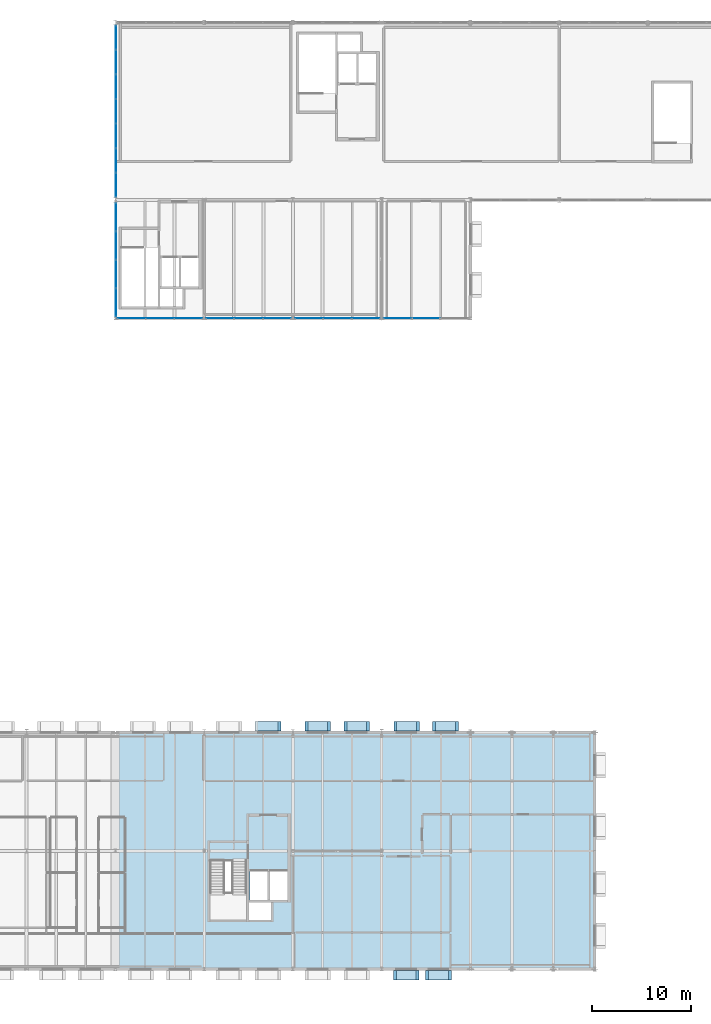
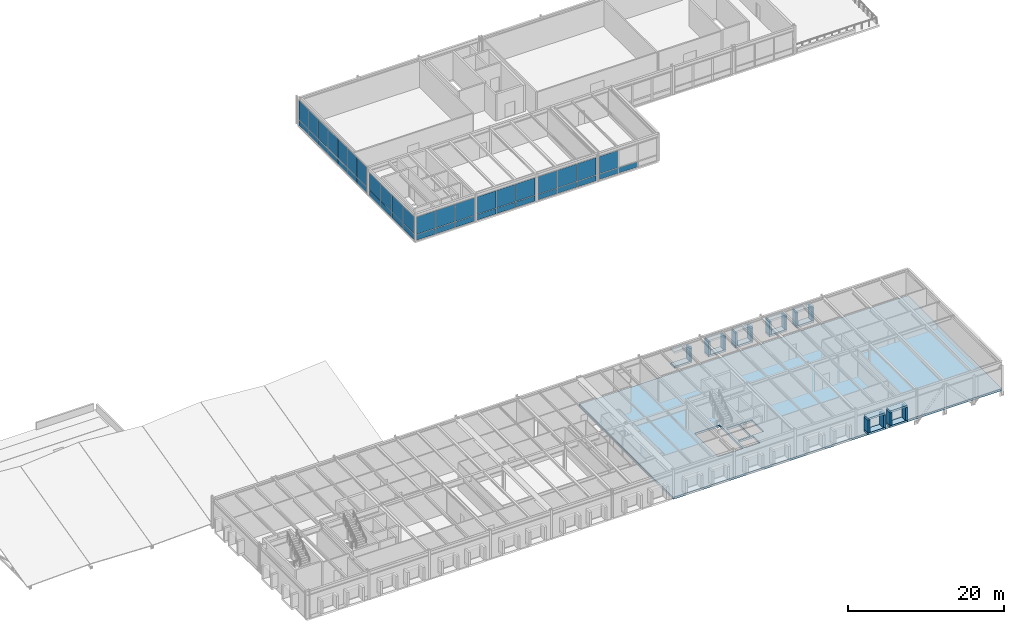
# One storey, part 43 of 67: 70 plates, 1 slab, 6 elements without a shape of their own.
"""IFC4 building model written with IfcOpenShell, lengths in metres."""

from ifc_helpers import new_model, si_unit, direction, frame, origin, origin_2d, place, context, subcontext, project, spatial, polyline, rectangle, outline, extrude, material, layer, layer_set, type_object, element, aggregate, save


model = new_model("IFC4")

# Units and contexts
model_context = context("Model", 3, precision=1e-05, world=origin(), true_north=direction((0.0, 1.0)))
body_context = subcontext(model_context, "Body", "Model", "MODEL_VIEW")
ifc_project = project(units=[si_unit("LENGTHUNIT", "METRE"), si_unit("AREAUNIT", "SQUARE_METRE"), si_unit("VOLUMEUNIT", "CUBIC_METRE"), si_unit("PLANEANGLEUNIT", "RADIAN"), si_unit("MASSUNIT", "GRAM", prefix="KILO")], contexts=[model_context])

# Site, building, storey
site_placement = place(None, origin())
site = spatial("IfcSite", under=ifc_project, at=site_placement, CompositionType="ELEMENT")
building_placement = place(site_placement, origin())
building = spatial("IfcBuilding", under=site, at=building_placement, Name="Montelvaro Courts of Justice", CompositionType="ELEMENT")
storey_placement = place(building_placement, frame((0.0, 0.0, 18.89990234375)))
storey = spatial("IfcBuildingStorey", under=building, at=storey_placement, Name="L04", CompositionType="ELEMENT", Elevation=18.89990234375)

# Curtain wall, plates
ifc_material_1 = material(Name="Anodised aluminium EN AW-6063", Category="aluminium")
ifc_layer_1 = layer(ifc_material_1, 0.159912109375)
ifc_layer_set_1 = layer_set([ifc_layer_1], Name="Anodised aluminium EN AW-6063")
curtain_wall_type_1 = type_object("IfcCurtainWallType", Name="CurtainWall_14_867x418", PredefinedType="USERDEFINED", material=ifc_layer_set_1)
curtain_wall_1_placement = place(storey_placement, origin())
curtain_wall_1 = element("IfcCurtainWall", 1, at=curtain_wall_1_placement, inside=storey, type_object=curtain_wall_type_1, Name="Curtain Wall CW-14 (L04)", ObjectType="CURTAIN WALL", PredefinedType="USERDEFINED")
ifc_material_2 = material(Name="Low-E solar control double glazing", Category="glass")
ifc_layer_2 = layer(ifc_material_2, 0.028076171875)
ifc_layer_set_2 = layer_set([ifc_layer_2], Name="Low-E solar control double glazing")
plate_type_1 = type_object("IfcPlateType", Name="CurtainWall_Glazed_Panel_28", PredefinedType="CURTAIN_PANEL", material=ifc_layer_set_2)
plate_1_placement = place(storey_placement, frame((100.6533203125, 66.0, 0.06005859375), z_axis=(0.0, 0.0, 1.0), x_axis=(1.0, 0.0, 0.0)))
plate_1 = element("IfcPlate", 2, at=plate_1_placement, type_object=plate_type_1, Name="CW-14 panel 1.1", PredefinedType="CURTAIN_PANEL", context=body_context, shape_type="SweptSolid", body=[
    extrude(rectangle(XDim=2.796630859375, YDim=0.028076171875, at=origin_2d()), origin(), (0.0, 0.0, 1.0), 0.860107421875),
])
plate_2_placement = place(storey_placement, frame((100.6533203125, 66.0, 0.97998046875), z_axis=(0.0, 0.0, 1.0), x_axis=(1.0, 0.0, 0.0)))
plate_2 = element("IfcPlate", 3, at=plate_2_placement, type_object=plate_type_1, Name="CW-14 panel 1.2", PredefinedType="CURTAIN_PANEL", context=body_context, shape_type="SweptSolid", body=[
    extrude(rectangle(XDim=2.796630859375, YDim=0.028076171875, at=origin_2d()), origin(), (0.0, 0.0, 1.0), 2.715087890625),
])
plate_3_placement = place(storey_placement, frame((103.52490234375, 66.0, 0.06005859375), z_axis=(0.0, 0.0, 1.0), x_axis=(1.0, 0.0, 0.0)))
plate_3 = element("IfcPlate", 4, at=plate_3_placement, type_object=plate_type_1, Name="CW-14 panel 2.1", PredefinedType="CURTAIN_PANEL", context=body_context, shape_type="SweptSolid", body=[
    extrude(rectangle(XDim=2.82666015625, YDim=0.028076171875, at=origin_2d()), origin(), (0.0, 0.0, 1.0), 0.860107421875),
])
plate_4_placement = place(storey_placement, frame((103.52490234375, 66.0, 0.97998046875), z_axis=(0.0, 0.0, 1.0), x_axis=(1.0, 0.0, 0.0)))
plate_4 = element("IfcPlate", 5, at=plate_4_placement, type_object=plate_type_1, Name="CW-14 panel 2.2", PredefinedType="CURTAIN_PANEL", context=body_context, shape_type="SweptSolid", body=[
    extrude(rectangle(XDim=2.82666015625, YDim=0.028076171875, at=origin_2d()), origin(), (0.0, 0.0, 1.0), 2.715087890625),
])
plate_5_placement = place(storey_placement, frame((106.396728515625, 66.0, 0.06005859375), z_axis=(0.0, 0.0, 1.0), x_axis=(1.0, 0.0, 0.0)))
plate_5 = element("IfcPlate", 6, at=plate_5_placement, type_object=plate_type_1, Name="CW-14 panel 3.1", PredefinedType="CURTAIN_PANEL", context=body_context, shape_type="SweptSolid", body=[
    extrude(rectangle(XDim=2.796630859375, YDim=0.028076171875, at=origin_2d()), origin(), (0.0, 0.0, 1.0), 0.860107421875),
])
plate_6_placement = place(storey_placement, frame((106.396728515625, 66.0, 0.97998046875), z_axis=(0.0, 0.0, 1.0), x_axis=(1.0, 0.0, 0.0)))
plate_6 = element("IfcPlate", 7, at=plate_6_placement, type_object=plate_type_1, Name="CW-14 panel 3.2", PredefinedType="CURTAIN_PANEL", context=body_context, shape_type="SweptSolid", body=[
    extrude(rectangle(XDim=2.796630859375, YDim=0.028076171875, at=origin_2d()), origin(), (0.0, 0.0, 1.0), 2.715087890625),
])
aggregate(curtain_wall_1, [plate_1, plate_2, plate_3, plate_4, plate_5, plate_6])

ifc_layer_3 = layer(ifc_material_1, 0.159912109375)
ifc_layer_set_3 = layer_set([ifc_layer_3], Name="Anodised aluminium EN AW-6063")
curtain_wall_type_2 = type_object("IfcCurtainWallType", Name="CurtainWall_18_868x418", PredefinedType="USERDEFINED", material=ifc_layer_set_3)
curtain_wall_2_placement = place(storey_placement, origin())
curtain_wall_2 = element("IfcCurtainWall", 8, at=curtain_wall_2_placement, inside=storey, type_object=curtain_wall_type_2, Name="Curtain Wall CW-18 (L04)", ObjectType="CURTAIN WALL", PredefinedType="USERDEFINED")
plate_7_placement = place(storey_placement, frame((109.610107421875, 66.0, 0.06005859375), z_axis=(0.0, 0.0, 1.0), x_axis=(1.0, 0.0, 0.0)))
plate_7 = element("IfcPlate", 9, at=plate_7_placement, type_object=plate_type_1, Name="CW-18 panel 1.1", PredefinedType="CURTAIN_PANEL", context=body_context, shape_type="SweptSolid", body=[
    extrude(rectangle(XDim=2.81005859375, YDim=0.028076171875, at=origin_2d()), origin(), (0.0, 0.0, 1.0), 0.860107421875),
])
plate_8_placement = place(storey_placement, frame((109.610107421875, 66.0, 0.97998046875), z_axis=(0.0, 0.0, 1.0), x_axis=(1.0, 0.0, 0.0)))
plate_8 = element("IfcPlate", 10, at=plate_8_placement, type_object=plate_type_1, Name="CW-18 panel 1.2", PredefinedType="CURTAIN_PANEL", context=body_context, shape_type="SweptSolid", body=[
    extrude(rectangle(XDim=2.81005859375, YDim=0.028076171875, at=origin_2d()), origin(), (0.0, 0.0, 1.0), 2.715087890625),
])
plate_9_placement = place(storey_placement, frame((112.4951171875, 66.0, 0.06005859375), z_axis=(0.0, 0.0, 1.0), x_axis=(1.0, 0.0, 0.0)))
plate_9 = element("IfcPlate", 11, at=plate_9_placement, type_object=plate_type_1, Name="CW-18 panel 2.1", PredefinedType="CURTAIN_PANEL", context=body_context, shape_type="SweptSolid", body=[
    extrude(rectangle(XDim=2.840087890625, YDim=0.028076171875, at=origin_2d()), origin(), (0.0, 0.0, 1.0), 0.860107421875),
])
plate_10_placement = place(storey_placement, frame((112.4951171875, 66.0, 0.97998046875), z_axis=(0.0, 0.0, 1.0), x_axis=(1.0, 0.0, 0.0)))
plate_10 = element("IfcPlate", 12, at=plate_10_placement, type_object=plate_type_1, Name="CW-18 panel 2.2", PredefinedType="CURTAIN_PANEL", context=body_context, shape_type="SweptSolid", body=[
    extrude(rectangle(XDim=2.840087890625, YDim=0.028076171875, at=origin_2d()), origin(), (0.0, 0.0, 1.0), 2.715087890625),
])
plate_11_placement = place(storey_placement, frame((115.3798828125, 66.0, 0.06005859375), z_axis=(0.0, 0.0, 1.0), x_axis=(1.0, 0.0, 0.0)))
plate_11 = element("IfcPlate", 13, at=plate_11_placement, type_object=plate_type_1, Name="CW-18 panel 3.1", PredefinedType="CURTAIN_PANEL", context=body_context, shape_type="SweptSolid", body=[
    extrude(rectangle(XDim=2.81005859375, YDim=0.028076171875, at=origin_2d()), origin(), (0.0, 0.0, 1.0), 0.860107421875),
])
plate_12_placement = place(storey_placement, frame((115.3798828125, 66.0, 0.97998046875), z_axis=(0.0, 0.0, 1.0), x_axis=(1.0, 0.0, 0.0)))
plate_12 = element("IfcPlate", 14, at=plate_12_placement, type_object=plate_type_1, Name="CW-18 panel 3.2", PredefinedType="CURTAIN_PANEL", context=body_context, shape_type="SweptSolid", body=[
    extrude(rectangle(XDim=2.81005859375, YDim=0.028076171875, at=origin_2d()), origin(), (0.0, 0.0, 1.0), 2.715087890625),
])
aggregate(curtain_wall_2, [plate_7, plate_8, plate_9, plate_10, plate_11, plate_12])

curtain_wall_3_placement = place(storey_placement, origin())
curtain_wall_3 = element("IfcCurtainWall", 15, at=curtain_wall_3_placement, inside=storey, type_object=curtain_wall_type_2, Name="Curtain Wall CW-18 (L04)", ObjectType="CURTAIN WALL", PredefinedType="USERDEFINED")
plate_13_placement = place(storey_placement, frame((118.6201171875, 66.0, 0.06005859375), z_axis=(0.0, 0.0, 1.0), x_axis=(1.0, 0.0, 0.0)))
plate_13 = element("IfcPlate", 16, at=plate_13_placement, type_object=plate_type_1, Name="CW-18 panel 1.1", PredefinedType="CURTAIN_PANEL", context=body_context, shape_type="SweptSolid", body=[
    extrude(rectangle(XDim=2.81005859375, YDim=0.028076171875, at=origin_2d()), origin(), (0.0, 0.0, 1.0), 0.860107421875),
])
plate_14_placement = place(storey_placement, frame((118.6201171875, 66.0, 0.97998046875), z_axis=(0.0, 0.0, 1.0), x_axis=(1.0, 0.0, 0.0)))
plate_14 = element("IfcPlate", 17, at=plate_14_placement, type_object=plate_type_1, Name="CW-18 panel 1.2", PredefinedType="CURTAIN_PANEL", context=body_context, shape_type="SweptSolid", body=[
    extrude(rectangle(XDim=2.81005859375, YDim=0.028076171875, at=origin_2d()), origin(), (0.0, 0.0, 1.0), 2.715087890625),
])
plate_15_placement = place(storey_placement, frame((121.5048828125, 66.0, 0.06005859375), z_axis=(0.0, 0.0, 1.0), x_axis=(1.0, 0.0, 0.0)))
plate_15 = element("IfcPlate", 18, at=plate_15_placement, type_object=plate_type_1, Name="CW-18 panel 2.1", PredefinedType="CURTAIN_PANEL", context=body_context, shape_type="SweptSolid", body=[
    extrude(rectangle(XDim=2.840087890625, YDim=0.028076171875, at=origin_2d()), origin(), (0.0, 0.0, 1.0), 0.860107421875),
])
plate_16_placement = place(storey_placement, frame((121.5048828125, 66.0, 0.97998046875), z_axis=(0.0, 0.0, 1.0), x_axis=(1.0, 0.0, 0.0)))
plate_16 = element("IfcPlate", 19, at=plate_16_placement, type_object=plate_type_1, Name="CW-18 panel 2.2", PredefinedType="CURTAIN_PANEL", context=body_context, shape_type="SweptSolid", body=[
    extrude(rectangle(XDim=2.840087890625, YDim=0.028076171875, at=origin_2d()), origin(), (0.0, 0.0, 1.0), 2.715087890625),
])
plate_17_placement = place(storey_placement, frame((124.389892578125, 66.0, 0.06005859375), z_axis=(0.0, 0.0, 1.0), x_axis=(1.0, 0.0, 0.0)))
plate_17 = element("IfcPlate", 20, at=plate_17_placement, type_object=plate_type_1, Name="CW-18 panel 3.1", PredefinedType="CURTAIN_PANEL", context=body_context, shape_type="SweptSolid", body=[
    extrude(rectangle(XDim=2.81005859375, YDim=0.028076171875, at=origin_2d()), origin(), (0.0, 0.0, 1.0), 0.860107421875),
])
plate_18_placement = place(storey_placement, frame((124.389892578125, 66.0, 0.97998046875), z_axis=(0.0, 0.0, 1.0), x_axis=(1.0, 0.0, 0.0)))
plate_18 = element("IfcPlate", 21, at=plate_18_placement, type_object=plate_type_1, Name="CW-18 panel 3.2", PredefinedType="CURTAIN_PANEL", context=body_context, shape_type="SweptSolid", body=[
    extrude(rectangle(XDim=2.81005859375, YDim=0.028076171875, at=origin_2d()), origin(), (0.0, 0.0, 1.0), 2.715087890625),
])
aggregate(curtain_wall_3, [plate_13, plate_14, plate_15, plate_16, plate_17, plate_18])

curtain_wall_4_placement = place(storey_placement, origin())
curtain_wall_4 = element("IfcCurtainWall", 22, at=curtain_wall_4_placement, inside=storey, type_object=curtain_wall_type_2, Name="Curtain Wall CW-18 (L04)", ObjectType="CURTAIN WALL", PredefinedType="USERDEFINED")
plate_19_placement = place(storey_placement, frame((127.613037109375, 66.0, 0.0751953125), z_axis=(0.0, 0.0, 1.0), x_axis=(1.0, 0.0, 0.0)))
plate_19 = element("IfcPlate", 23, at=plate_19_placement, type_object=plate_type_1, Name="CW-18 panel 1.1", PredefinedType="CURTAIN_PANEL", context=body_context, shape_type="SweptSolid", body=[
    extrude(rectangle(XDim=2.805908203125, YDim=0.028076171875, at=origin_2d()), origin(), (0.0, 0.0, 1.0), 0.83740234375),
])
plate_20_placement = place(storey_placement, frame((127.613037109375, 66.0, 0.987548828125), z_axis=(0.0, 0.0, 1.0), x_axis=(1.0, 0.0, 0.0)))
plate_20 = element("IfcPlate", 24, at=plate_20_placement, type_object=plate_type_1, Name="CW-18 panel 1.2", PredefinedType="CURTAIN_PANEL", context=body_context, shape_type="SweptSolid", body=[
    extrude(rectangle(XDim=2.805908203125, YDim=0.028076171875, at=origin_2d()), origin(), (0.0, 0.0, 1.0), 2.6923828125),
])
plate_21_placement = place(storey_placement, frame((130.5, 66.0, 0.0751953125), z_axis=(0.0, 0.0, 1.0), x_axis=(1.0, 0.0, 0.0)))
plate_21 = element("IfcPlate", 25, at=plate_21_placement, type_object=plate_type_1, Name="CW-18 panel 2.1", PredefinedType="CURTAIN_PANEL", context=body_context, shape_type="SweptSolid", body=[
    extrude(rectangle(XDim=2.83837890625, YDim=0.028076171875, at=origin_2d()), origin(), (0.0, 0.0, 1.0), 0.83740234375),
])
aggregate(curtain_wall_4, [plate_19, plate_20, plate_21])

ifc_layer_4 = layer(ifc_material_1, 0.159912109375)
ifc_layer_set_4 = layer_set([ifc_layer_4], Name="Anodised aluminium EN AW-6063")
curtain_wall_type_3 = type_object("IfcCurtainWallType", Name="CurtainWall_33_1747x418", PredefinedType="USERDEFINED", material=ifc_layer_set_4)
curtain_wall_5_placement = place(storey_placement, origin())
curtain_wall_5 = element("IfcCurtainWall", 26, at=curtain_wall_5_placement, inside=storey, type_object=curtain_wall_type_3, Name="Curtain Wall CW-33 (L04)", ObjectType="CURTAIN WALL", PredefinedType="USERDEFINED")
plate_22_placement = place(storey_placement, frame((99.050048828125, 94.47216796875, 0.0751953125), z_axis=(0.0, 0.0, 1.0), x_axis=(0.0, -1.0, 0.0)))
plate_22 = element("IfcPlate", 27, at=plate_22_placement, type_object=plate_type_1, Name="CW-33 panel 1.1", PredefinedType="CURTAIN_PANEL", context=body_context, shape_type="SweptSolid", body=[
    extrude(rectangle(XDim=2.40576171875, YDim=0.028076171875, at=origin_2d()), origin(), (0.0, 0.0, 1.0), 0.83740234375),
])
plate_23_placement = place(storey_placement, frame((99.050048828125, 94.47216796875, 0.987548828125), z_axis=(0.0, 0.0, 1.0), x_axis=(0.0, -1.0, 0.0)))
plate_23 = element("IfcPlate", 28, at=plate_23_placement, type_object=plate_type_1, Name="CW-33 panel 1.2", PredefinedType="CURTAIN_PANEL", context=body_context, shape_type="SweptSolid", body=[
    extrude(rectangle(XDim=2.40576171875, YDim=0.028076171875, at=origin_2d()), origin(), (0.0, 0.0, 1.0), 3.0576171875),
])
plate_24_placement = place(storey_placement, frame((99.050048828125, 91.991455078125, 0.0751953125), z_axis=(0.0, 0.0, 1.0), x_axis=(0.0, -1.0, 0.0)))
plate_24 = element("IfcPlate", 29, at=plate_24_placement, type_object=plate_type_1, Name="CW-33 panel 2.1", PredefinedType="CURTAIN_PANEL", context=body_context, shape_type="SweptSolid", body=[
    extrude(rectangle(XDim=2.435791015625, YDim=0.028076171875, at=origin_2d()), origin(), (0.0, 0.0, 1.0), 0.83740234375),
])
plate_25_placement = place(storey_placement, frame((99.050048828125, 91.991455078125, 0.987548828125), z_axis=(0.0, 0.0, 1.0), x_axis=(0.0, -1.0, 0.0)))
plate_25 = element("IfcPlate", 30, at=plate_25_placement, type_object=plate_type_1, Name="CW-33 panel 2.2", PredefinedType="CURTAIN_PANEL", context=body_context, shape_type="SweptSolid", body=[
    extrude(rectangle(XDim=2.435791015625, YDim=0.028076171875, at=origin_2d()), origin(), (0.0, 0.0, 1.0), 3.0576171875),
])
plate_26_placement = place(storey_placement, frame((99.050048828125, 89.49560546875, 0.0751953125), z_axis=(0.0, 0.0, 1.0), x_axis=(0.0, -1.0, 0.0)))
plate_26 = element("IfcPlate", 31, at=plate_26_placement, type_object=plate_type_1, Name="CW-33 panel 3.1", PredefinedType="CURTAIN_PANEL", context=body_context, shape_type="SweptSolid", body=[
    extrude(rectangle(XDim=2.435791015625, YDim=0.028076171875, at=origin_2d()), origin(), (0.0, 0.0, 1.0), 0.83740234375),
])
plate_27_placement = place(storey_placement, frame((99.050048828125, 89.49560546875, 0.987548828125), z_axis=(0.0, 0.0, 1.0), x_axis=(0.0, -1.0, 0.0)))
plate_27 = element("IfcPlate", 32, at=plate_27_placement, type_object=plate_type_1, Name="CW-33 panel 3.2", PredefinedType="CURTAIN_PANEL", context=body_context, shape_type="SweptSolid", body=[
    extrude(rectangle(XDim=2.435791015625, YDim=0.028076171875, at=origin_2d()), origin(), (0.0, 0.0, 1.0), 3.0576171875),
])
plate_28_placement = place(storey_placement, frame((99.050048828125, 87.0, 0.0751953125), z_axis=(0.0, 0.0, 1.0), x_axis=(0.0, -1.0, 0.0)))
plate_28 = element("IfcPlate", 33, at=plate_28_placement, type_object=plate_type_1, Name="CW-33 panel 4.1", PredefinedType="CURTAIN_PANEL", context=body_context, shape_type="SweptSolid", body=[
    extrude(rectangle(XDim=2.435791015625, YDim=0.028076171875, at=origin_2d()), origin(), (0.0, 0.0, 1.0), 0.83740234375),
])
plate_29_placement = place(storey_placement, frame((99.050048828125, 87.0, 0.987548828125), z_axis=(0.0, 0.0, 1.0), x_axis=(0.0, -1.0, 0.0)))
plate_29 = element("IfcPlate", 34, at=plate_29_placement, type_object=plate_type_1, Name="CW-33 panel 4.2", PredefinedType="CURTAIN_PANEL", context=body_context, shape_type="SweptSolid", body=[
    extrude(rectangle(XDim=2.435791015625, YDim=0.028076171875, at=origin_2d()), origin(), (0.0, 0.0, 1.0), 3.0576171875),
])
plate_30_placement = place(storey_placement, frame((99.050048828125, 84.50439453125, 0.0751953125), z_axis=(0.0, 0.0, 1.0), x_axis=(0.0, -1.0, 0.0)))
plate_30 = element("IfcPlate", 35, at=plate_30_placement, type_object=plate_type_1, Name="CW-33 panel 5.1", PredefinedType="CURTAIN_PANEL", context=body_context, shape_type="SweptSolid", body=[
    extrude(rectangle(XDim=2.435791015625, YDim=0.028076171875, at=origin_2d()), origin(), (0.0, 0.0, 1.0), 0.83740234375),
])
plate_31_placement = place(storey_placement, frame((99.050048828125, 84.50439453125, 0.987548828125), z_axis=(0.0, 0.0, 1.0), x_axis=(0.0, -1.0, 0.0)))
plate_31 = element("IfcPlate", 36, at=plate_31_placement, type_object=plate_type_1, Name="CW-33 panel 5.2", PredefinedType="CURTAIN_PANEL", context=body_context, shape_type="SweptSolid", body=[
    extrude(rectangle(XDim=2.435791015625, YDim=0.028076171875, at=origin_2d()), origin(), (0.0, 0.0, 1.0), 3.0576171875),
])
plate_32_placement = place(storey_placement, frame((99.050048828125, 82.008544921875, 0.0751953125), z_axis=(0.0, 0.0, 1.0), x_axis=(0.0, -1.0, 0.0)))
plate_32 = element("IfcPlate", 37, at=plate_32_placement, type_object=plate_type_1, Name="CW-33 panel 6.1", PredefinedType="CURTAIN_PANEL", context=body_context, shape_type="SweptSolid", body=[
    extrude(rectangle(XDim=2.435791015625, YDim=0.028076171875, at=origin_2d()), origin(), (0.0, 0.0, 1.0), 0.83740234375),
])
plate_33_placement = place(storey_placement, frame((99.050048828125, 82.008544921875, 0.987548828125), z_axis=(0.0, 0.0, 1.0), x_axis=(0.0, -1.0, 0.0)))
plate_33 = element("IfcPlate", 38, at=plate_33_placement, type_object=plate_type_1, Name="CW-33 panel 6.2", PredefinedType="CURTAIN_PANEL", context=body_context, shape_type="SweptSolid", body=[
    extrude(rectangle(XDim=2.435791015625, YDim=0.028076171875, at=origin_2d()), origin(), (0.0, 0.0, 1.0), 3.0576171875),
])
plate_34_placement = place(storey_placement, frame((99.050048828125, 79.52783203125, 0.0751953125), z_axis=(0.0, 0.0, 1.0), x_axis=(0.0, -1.0, 0.0)))
plate_34 = element("IfcPlate", 39, at=plate_34_placement, type_object=plate_type_1, Name="CW-33 panel 7.1", PredefinedType="CURTAIN_PANEL", context=body_context, shape_type="SweptSolid", body=[
    extrude(rectangle(XDim=2.40576171875, YDim=0.028076171875, at=origin_2d()), origin(), (0.0, 0.0, 1.0), 0.83740234375),
])
plate_35_placement = place(storey_placement, frame((99.050048828125, 79.52783203125, 0.987548828125), z_axis=(0.0, 0.0, 1.0), x_axis=(0.0, -1.0, 0.0)))
plate_35 = element("IfcPlate", 40, at=plate_35_placement, type_object=plate_type_1, Name="CW-33 panel 7.2", PredefinedType="CURTAIN_PANEL", context=body_context, shape_type="SweptSolid", body=[
    extrude(rectangle(XDim=2.40576171875, YDim=0.028076171875, at=origin_2d()), origin(), (0.0, 0.0, 1.0), 3.0576171875),
])
aggregate(curtain_wall_5, [plate_22, plate_23, plate_24, plate_25, plate_26, plate_27, plate_28, plate_29, plate_30, plate_31, plate_32, plate_33, plate_34, plate_35])

ifc_layer_5 = layer(ifc_material_1, 0.159912109375)
ifc_layer_set_5 = layer_set([ifc_layer_5], Name="Anodised aluminium EN AW-6063")
curtain_wall_type_4 = type_object("IfcCurtainWallType", Name="CurtainWall_19_1159x418", PredefinedType="USERDEFINED", material=ifc_layer_set_5)
curtain_wall_6_placement = place(storey_placement, origin())
curtain_wall_6 = element("IfcCurtainWall", 41, at=curtain_wall_6_placement, inside=storey, type_object=curtain_wall_type_4, Name="Curtain Wall CW-19 (L04)", ObjectType="CURTAIN WALL", PredefinedType="USERDEFINED")
plate_36_placement = place(storey_placement, frame((99.050048828125, 76.27001953125, 0.06005859375), z_axis=(0.0, 0.0, 1.0), x_axis=(0.0, -1.0, 0.0)))
plate_36 = element("IfcPlate", 42, at=plate_36_placement, type_object=plate_type_1, Name="CW-19 panel 1.1", PredefinedType="CURTAIN_PANEL", context=body_context, shape_type="SweptSolid", body=[
    extrude(rectangle(XDim=2.800048828125, YDim=0.028076171875, at=origin_2d()), origin(), (0.0, 0.0, 1.0), 0.860107421875),
])
plate_37_placement = place(storey_placement, frame((99.050048828125, 76.27001953125, 0.97998046875), z_axis=(0.0, 0.0, 1.0), x_axis=(0.0, -1.0, 0.0)))
plate_37 = element("IfcPlate", 43, at=plate_37_placement, type_object=plate_type_1, Name="CW-19 panel 1.2", PredefinedType="CURTAIN_PANEL", context=body_context, shape_type="SweptSolid", body=[
    extrude(rectangle(XDim=2.800048828125, YDim=0.028076171875, at=origin_2d()), origin(), (0.0, 0.0, 1.0), 2.705078125),
])
plate_38_placement = place(storey_placement, frame((99.050048828125, 73.388671875, 0.06005859375), z_axis=(0.0, 0.0, 1.0), x_axis=(0.0, -1.0, 0.0)))
plate_38 = element("IfcPlate", 44, at=plate_38_placement, type_object=plate_type_1, Name="CW-19 panel 2.1", PredefinedType="CURTAIN_PANEL", context=body_context, shape_type="SweptSolid", body=[
    extrude(rectangle(XDim=2.83251953125, YDim=0.028076171875, at=origin_2d()), origin(), (0.0, 0.0, 1.0), 0.860107421875),
])
plate_39_placement = place(storey_placement, frame((99.050048828125, 73.388671875, 0.97998046875), z_axis=(0.0, 0.0, 1.0), x_axis=(0.0, -1.0, 0.0)))
plate_39 = element("IfcPlate", 45, at=plate_39_placement, type_object=plate_type_1, Name="CW-19 panel 2.2", PredefinedType="CURTAIN_PANEL", context=body_context, shape_type="SweptSolid", body=[
    extrude(rectangle(XDim=2.83251953125, YDim=0.028076171875, at=origin_2d()), origin(), (0.0, 0.0, 1.0), 2.705078125),
])
plate_40_placement = place(storey_placement, frame((99.050048828125, 70.4912109375, 0.06005859375), z_axis=(0.0, 0.0, 1.0), x_axis=(0.0, -1.0, 0.0)))
plate_40 = element("IfcPlate", 46, at=plate_40_placement, type_object=plate_type_1, Name="CW-19 panel 3.1", PredefinedType="CURTAIN_PANEL", context=body_context, shape_type="SweptSolid", body=[
    extrude(rectangle(XDim=2.83251953125, YDim=0.028076171875, at=origin_2d()), origin(), (0.0, 0.0, 1.0), 0.860107421875),
])
plate_41_placement = place(storey_placement, frame((99.050048828125, 70.4912109375, 0.97998046875), z_axis=(0.0, 0.0, 1.0), x_axis=(0.0, -1.0, 0.0)))
plate_41 = element("IfcPlate", 47, at=plate_41_placement, type_object=plate_type_1, Name="CW-19 panel 3.2", PredefinedType="CURTAIN_PANEL", context=body_context, shape_type="SweptSolid", body=[
    extrude(rectangle(XDim=2.83251953125, YDim=0.028076171875, at=origin_2d()), origin(), (0.0, 0.0, 1.0), 2.705078125),
])
plate_42_placement = place(storey_placement, frame((99.050048828125, 67.610107421875, 0.06005859375), z_axis=(0.0, 0.0, 1.0), x_axis=(0.0, -1.0, 0.0)))
plate_42 = element("IfcPlate", 48, at=plate_42_placement, type_object=plate_type_1, Name="CW-19 panel 4.1", PredefinedType="CURTAIN_PANEL", context=body_context, shape_type="SweptSolid", body=[
    extrude(rectangle(XDim=2.800048828125, YDim=0.028076171875, at=origin_2d()), origin(), (0.0, 0.0, 1.0), 0.860107421875),
])
plate_43_placement = place(storey_placement, frame((99.050048828125, 67.610107421875, 0.97998046875), z_axis=(0.0, 0.0, 1.0), x_axis=(0.0, -1.0, 0.0)))
plate_43 = element("IfcPlate", 49, at=plate_43_placement, type_object=plate_type_1, Name="CW-19 panel 4.2", PredefinedType="CURTAIN_PANEL", context=body_context, shape_type="SweptSolid", body=[
    extrude(rectangle(XDim=2.800048828125, YDim=0.028076171875, at=origin_2d()), origin(), (0.0, 0.0, 1.0), 2.705078125),
])
aggregate(curtain_wall_6, [plate_36, plate_37, plate_38, plate_39, plate_40, plate_41, plate_42, plate_43])

# Slab
ifc_material_3 = material(Name="Concrete C35/45", Category="concrete")
ifc_layer_6 = layer(ifc_material_3, 0.320068359375)
ifc_layer_set_6 = layer_set([ifc_layer_6], Name="Concrete C35/45")
slab_type = type_object("IfcSlabType", Name="FloorSlab_V5_320", PredefinedType="FLOOR", material=ifc_layer_set_6)
slab_placement = place(storey_placement, frame((0.0, 0.0, -0.31982421875)))
element("IfcSlab", 50, at=slab_placement, inside=storey, type_object=slab_type, Name="Structural Slab SF-05 L04", PredefinedType="FLOOR", context=body_context, shape_type="SweptSolid", body=[
    extrude(outline(polyline([(99.050048828125, 0.0), (147.60009765625, 0.0), (147.60009765625, 24.0), (99.050048828125, 24.0), (99.050048828125, 0.0)]), holes=[polyline([(108.60009765625, 5.0), (112.300048828125, 5.0), (112.300048828125, 11.0), (108.60009765625, 11.0), (108.60009765625, 5.0)]), polyline([(112.5400390625, 5.0), (114.800048828125, 5.0), (114.800048828125, 6.760009765625), (112.5400390625, 6.760009765625), (112.5400390625, 5.0)]), polyline([(112.64990234375, 7.0), (114.5, 7.0), (114.5, 9.89990234375), (112.64990234375, 9.89990234375), (112.64990234375, 7.0)]), polyline([(114.60009765625, 7.0), (116.449951171875, 7.0), (116.449951171875, 9.89990234375), (114.60009765625, 9.89990234375), (114.60009765625, 7.0)])]), origin(), (0.0, 0.0, 1.0), 0.31982421875),
])

# Plates
ifc_material_4 = material(Name="White mineral precast concrete C45/55", Category="concrete")
ifc_layer_7 = layer(ifc_material_4, 0.300048828125)
ifc_layer_set_7 = layer_set([ifc_layer_7], Name="White mineral precast concrete C45/55")
plate_type_2 = type_object("IfcPlateType", Name="PrecastSquareFrame_300x950", PredefinedType="SHEET", material=ifc_layer_set_7)
for number, where, z_axis, x_axis, name in (
    (51, (128.487060546875, -0.6201171875, 2.85009765625), (0.0, 0.0, 1.0), (1.0, 0.0, 0.0), "Graduated Square Window Frame PF-02 W-L04-223 TOP"),
    (52, (128.487060546875, -0.6201171875, 0.55029296875), (0.0, 0.0, 1.0), (1.0, 0.0, 0.0), "Graduated Square Window Frame PF-02 W-L04-223 BOT"),
):
    element("IfcPlate", number, at=place(storey_placement, frame(where, z_axis=z_axis, x_axis=x_axis)), inside=storey, type_object=plate_type_2, Name=name, PredefinedType="SHEET", context=body_context, shape_type="SweptSolid", body=[
        extrude(rectangle(XDim=2.60009765625, YDim=0.9599609375, at=origin_2d()), origin(), (0.0, 0.0, 1.0), 0.300048828125),
    ])
for number, where, z_axis, x_axis, name in (
    (53, (127.3369140625, -0.6201171875, 0.85009765625), (0.0, 0.0, 1.0), (1.0, 0.0, 0.0), "Graduated Square Window Frame PF-02 W-L04-223 L"),
    (54, (129.636962890625, -0.6201171875, 0.85009765625), (0.0, 0.0, 1.0), (1.0, 0.0, 0.0), "Graduated Square Window Frame PF-02 W-L04-223 R"),
):
    element("IfcPlate", number, at=place(storey_placement, frame(where, z_axis=z_axis, x_axis=x_axis)), inside=storey, type_object=plate_type_2, Name=name, PredefinedType="SHEET", context=body_context, shape_type="SweptSolid", body=[
        extrude(rectangle(XDim=0.300048828125, YDim=0.9599609375, at=origin_2d()), origin(), (0.0, 0.0, 1.0), 2.0),
    ])
for number, where, z_axis, x_axis, name in (
    (55, (131.760009765625, -0.6201171875, 2.85009765625), (0.0, 0.0, 1.0), (1.0, 0.0, 0.0), "Graduated Square Window Frame PF-02 W-L04-224 TOP"),
    (56, (131.760009765625, -0.6201171875, 0.55029296875), (0.0, 0.0, 1.0), (1.0, 0.0, 0.0), "Graduated Square Window Frame PF-02 W-L04-224 BOT"),
):
    element("IfcPlate", number, at=place(storey_placement, frame(where, z_axis=z_axis, x_axis=x_axis)), inside=storey, type_object=plate_type_2, Name=name, PredefinedType="SHEET", context=body_context, shape_type="SweptSolid", body=[
        extrude(rectangle(XDim=2.60009765625, YDim=0.9599609375, at=origin_2d()), origin(), (0.0, 0.0, 1.0), 0.300048828125),
    ])
for number, where, z_axis, x_axis, name in (
    (57, (130.610107421875, -0.6201171875, 0.85009765625), (0.0, 0.0, 1.0), (1.0, 0.0, 0.0), "Graduated Square Window Frame PF-02 W-L04-224 L"),
    (58, (132.909912109375, -0.6201171875, 0.85009765625), (0.0, 0.0, 1.0), (1.0, 0.0, 0.0), "Graduated Square Window Frame PF-02 W-L04-224 R"),
):
    element("IfcPlate", number, at=place(storey_placement, frame(where, z_axis=z_axis, x_axis=x_axis)), inside=storey, type_object=plate_type_2, Name=name, PredefinedType="SHEET", context=body_context, shape_type="SweptSolid", body=[
        extrude(rectangle(XDim=0.300048828125, YDim=0.9599609375, at=origin_2d()), origin(), (0.0, 0.0, 1.0), 2.0),
    ])
for number, where, z_axis, x_axis, name in (
    (59, (132.47607421875, 24.6201171875, 2.85009765625), (0.0, 0.0, 1.0), (-1.0, 0.0, 0.0), "Graduated Square Window Frame PF-02 W-L04-229 TOP"),
    (60, (132.47607421875, 24.6201171875, 0.55029296875), (0.0, 0.0, 1.0), (-1.0, 0.0, 0.0), "Graduated Square Window Frame PF-02 W-L04-229 BOT"),
):
    element("IfcPlate", number, at=place(storey_placement, frame(where, z_axis=z_axis, x_axis=x_axis)), inside=storey, type_object=plate_type_2, Name=name, PredefinedType="SHEET", context=body_context, shape_type="SweptSolid", body=[
        extrude(rectangle(XDim=2.60009765625, YDim=0.9599609375, at=origin_2d()), origin(), (0.0, 0.0, 1.0), 0.300048828125),
    ])
for number, where, z_axis, x_axis, name in (
    (61, (133.6259765625, 24.6201171875, 0.85009765625), (0.0, 0.0, 1.0), (-1.0, 0.0, 0.0), "Graduated Square Window Frame PF-02 W-L04-229 L"),
    (62, (131.325927734375, 24.6201171875, 0.85009765625), (0.0, 0.0, 1.0), (-1.0, 0.0, 0.0), "Graduated Square Window Frame PF-02 W-L04-229 R"),
):
    element("IfcPlate", number, at=place(storey_placement, frame(where, z_axis=z_axis, x_axis=x_axis)), inside=storey, type_object=plate_type_2, Name=name, PredefinedType="SHEET", context=body_context, shape_type="SweptSolid", body=[
        extrude(rectangle(XDim=0.300048828125, YDim=0.9599609375, at=origin_2d()), origin(), (0.0, 0.0, 1.0), 2.0),
    ])
for number, where, z_axis, x_axis, name in (
    (63, (128.52392578125, 24.6201171875, 2.85009765625), (0.0, 0.0, 1.0), (-1.0, 0.0, 0.0), "Graduated Square Window Frame PF-02 W-L04-230 TOP"),
    (64, (128.52392578125, 24.6201171875, 0.55029296875), (0.0, 0.0, 1.0), (-1.0, 0.0, 0.0), "Graduated Square Window Frame PF-02 W-L04-230 BOT"),
):
    element("IfcPlate", number, at=place(storey_placement, frame(where, z_axis=z_axis, x_axis=x_axis)), inside=storey, type_object=plate_type_2, Name=name, PredefinedType="SHEET", context=body_context, shape_type="SweptSolid", body=[
        extrude(rectangle(XDim=2.60009765625, YDim=0.9599609375, at=origin_2d()), origin(), (0.0, 0.0, 1.0), 0.300048828125),
    ])
for number, where, z_axis, x_axis, name in (
    (65, (129.674072265625, 24.6201171875, 0.85009765625), (0.0, 0.0, 1.0), (-1.0, 0.0, 0.0), "Graduated Square Window Frame PF-02 W-L04-230 L"),
    (66, (127.3740234375, 24.6201171875, 0.85009765625), (0.0, 0.0, 1.0), (-1.0, 0.0, 0.0), "Graduated Square Window Frame PF-02 W-L04-230 R"),
):
    element("IfcPlate", number, at=place(storey_placement, frame(where, z_axis=z_axis, x_axis=x_axis)), inside=storey, type_object=plate_type_2, Name=name, PredefinedType="SHEET", context=body_context, shape_type="SweptSolid", body=[
        extrude(rectangle(XDim=0.300048828125, YDim=0.9599609375, at=origin_2d()), origin(), (0.0, 0.0, 1.0), 2.0),
    ])
for number, where, z_axis, x_axis, name in (
    (67, (123.47607421875, 24.6201171875, 2.85009765625), (0.0, 0.0, 1.0), (-1.0, 0.0, 0.0), "Graduated Square Window Frame PF-02 W-L04-231 TOP"),
    (68, (123.47607421875, 24.6201171875, 0.55029296875), (0.0, 0.0, 1.0), (-1.0, 0.0, 0.0), "Graduated Square Window Frame PF-02 W-L04-231 BOT"),
):
    element("IfcPlate", number, at=place(storey_placement, frame(where, z_axis=z_axis, x_axis=x_axis)), inside=storey, type_object=plate_type_2, Name=name, PredefinedType="SHEET", context=body_context, shape_type="SweptSolid", body=[
        extrude(rectangle(XDim=2.60009765625, YDim=0.9599609375, at=origin_2d()), origin(), (0.0, 0.0, 1.0), 0.300048828125),
    ])
for number, where, z_axis, x_axis, name in (
    (69, (124.6259765625, 24.6201171875, 0.85009765625), (0.0, 0.0, 1.0), (-1.0, 0.0, 0.0), "Graduated Square Window Frame PF-02 W-L04-231 L"),
    (70, (122.325927734375, 24.6201171875, 0.85009765625), (0.0, 0.0, 1.0), (-1.0, 0.0, 0.0), "Graduated Square Window Frame PF-02 W-L04-231 R"),
):
    element("IfcPlate", number, at=place(storey_placement, frame(where, z_axis=z_axis, x_axis=x_axis)), inside=storey, type_object=plate_type_2, Name=name, PredefinedType="SHEET", context=body_context, shape_type="SweptSolid", body=[
        extrude(rectangle(XDim=0.300048828125, YDim=0.9599609375, at=origin_2d()), origin(), (0.0, 0.0, 1.0), 2.0),
    ])
for number, where, z_axis, x_axis, name in (
    (71, (119.52392578125, 24.6201171875, 2.85009765625), (0.0, 0.0, 1.0), (-1.0, 0.0, 0.0), "Graduated Square Window Frame PF-02 W-L04-232 TOP"),
    (72, (119.52392578125, 24.6201171875, 0.55029296875), (0.0, 0.0, 1.0), (-1.0, 0.0, 0.0), "Graduated Square Window Frame PF-02 W-L04-232 BOT"),
):
    element("IfcPlate", number, at=place(storey_placement, frame(where, z_axis=z_axis, x_axis=x_axis)), inside=storey, type_object=plate_type_2, Name=name, PredefinedType="SHEET", context=body_context, shape_type="SweptSolid", body=[
        extrude(rectangle(XDim=2.60009765625, YDim=0.9599609375, at=origin_2d()), origin(), (0.0, 0.0, 1.0), 0.300048828125),
    ])
for number, where, z_axis, x_axis, name in (
    (73, (120.674072265625, 24.6201171875, 0.85009765625), (0.0, 0.0, 1.0), (-1.0, 0.0, 0.0), "Graduated Square Window Frame PF-02 W-L04-232 L"),
    (74, (118.3740234375, 24.6201171875, 0.85009765625), (0.0, 0.0, 1.0), (-1.0, 0.0, 0.0), "Graduated Square Window Frame PF-02 W-L04-232 R"),
):
    element("IfcPlate", number, at=place(storey_placement, frame(where, z_axis=z_axis, x_axis=x_axis)), inside=storey, type_object=plate_type_2, Name=name, PredefinedType="SHEET", context=body_context, shape_type="SweptSolid", body=[
        extrude(rectangle(XDim=0.300048828125, YDim=0.9599609375, at=origin_2d()), origin(), (0.0, 0.0, 1.0), 2.0),
    ])
for number, where, z_axis, x_axis, name in (
    (75, (114.47607421875, 24.6201171875, 2.85009765625), (0.0, 0.0, 1.0), (-1.0, 0.0, 0.0), "Graduated Square Window Frame PF-02 W-L04-233 TOP"),
    (76, (114.47607421875, 24.6201171875, 0.55029296875), (0.0, 0.0, 1.0), (-1.0, 0.0, 0.0), "Graduated Square Window Frame PF-02 W-L04-233 BOT"),
):
    element("IfcPlate", number, at=place(storey_placement, frame(where, z_axis=z_axis, x_axis=x_axis)), inside=storey, type_object=plate_type_2, Name=name, PredefinedType="SHEET", context=body_context, shape_type="SweptSolid", body=[
        extrude(rectangle(XDim=2.60009765625, YDim=0.9599609375, at=origin_2d()), origin(), (0.0, 0.0, 1.0), 0.300048828125),
    ])
plate_44_placement = place(storey_placement, frame((115.6259765625, 24.6201171875, 0.85009765625), z_axis=(0.0, 0.0, 1.0), x_axis=(-1.0, 0.0, 0.0)))
element("IfcPlate", 77, at=plate_44_placement, inside=storey, type_object=plate_type_2, Name="Graduated Square Window Frame PF-02 W-L04-233 L", PredefinedType="SHEET", context=body_context, shape_type="SweptSolid", body=[
    extrude(rectangle(XDim=0.300048828125, YDim=0.9599609375, at=origin_2d()), origin(), (0.0, 0.0, 1.0), 2.0),
])

save(model, "model.ifc")
